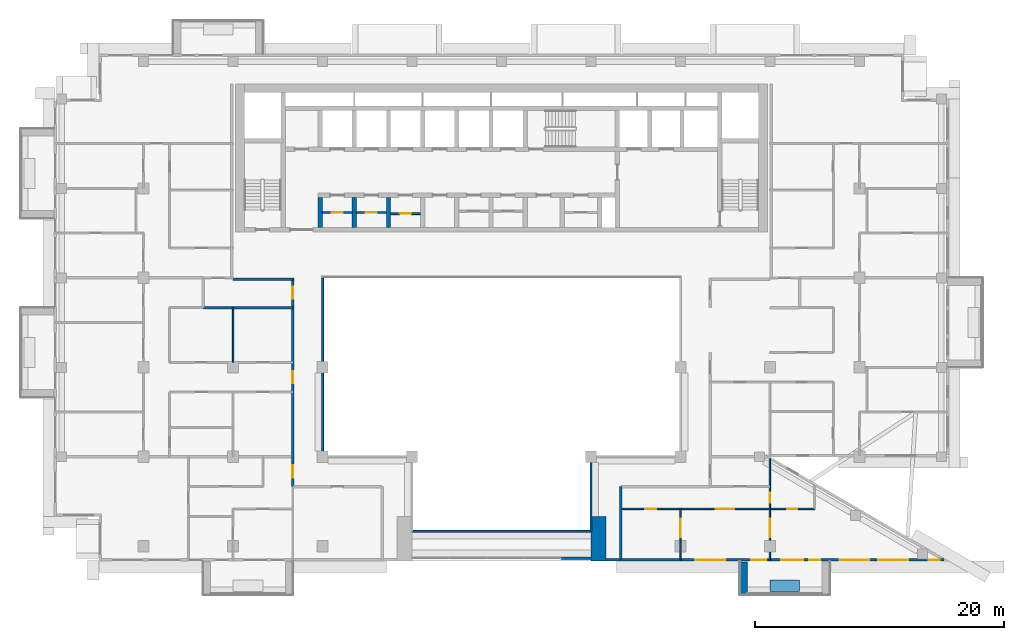
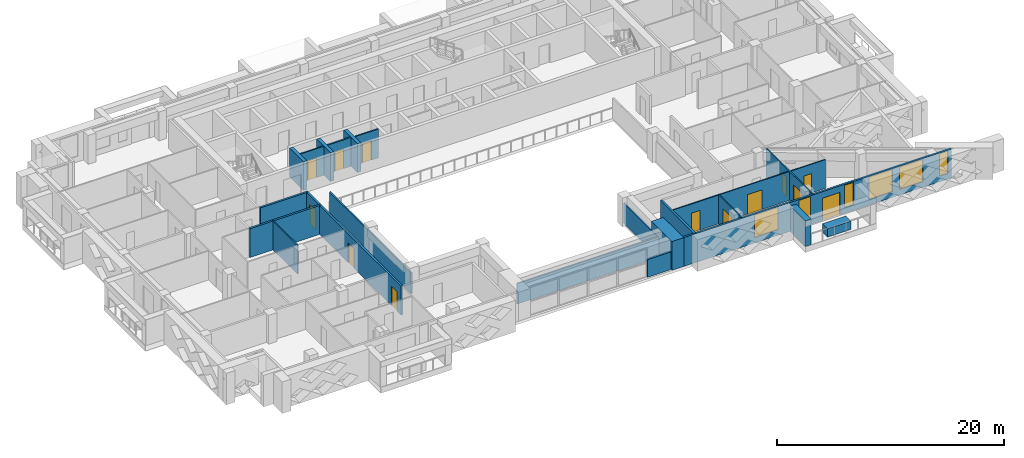
# One storey, part 8 of 20: 22 walls, 13 doors, 6 windows, 19 openings.
"""IFC4 building model written with IfcOpenShell, lengths in metres."""

from ifc_helpers import new_model, si_unit, direction, frame, frame_2d, origin, place, context, subcontext, project, spatial, rectangle, extrude, material, layer, layer_set, type_object, element, fill, save


model = new_model("IFC4")

# Units and contexts
model_context = context("Model", 3, precision=1e-05, world=origin(), true_north=direction((0.0, 1.0)))
body_context = subcontext(model_context, "Body", "Model", "MODEL_VIEW")
ifc_project = project(units=[si_unit("LENGTHUNIT", "METRE"), si_unit("AREAUNIT", "SQUARE_METRE"), si_unit("VOLUMEUNIT", "CUBIC_METRE"), si_unit("PLANEANGLEUNIT", "RADIAN"), si_unit("MASSUNIT", "GRAM", prefix="KILO")], contexts=[model_context])

# Site, building, storey
site_placement = place(None, origin())
site = spatial("IfcSite", under=ifc_project, at=site_placement, CompositionType="ELEMENT")
building_placement = place(site_placement, origin())
building = spatial("IfcBuilding", under=site, at=building_placement, Name="Saffron Iwan Residences", CompositionType="ELEMENT")
storey_placement = place(building_placement, frame((0.0, 0.0, 202.5)))
storey = spatial("IfcBuildingStorey", under=building, at=storey_placement, Name="L54", CompositionType="ELEMENT", Elevation=202.5)

# Walls
ifc_material_1 = material(Name="Fire-rated glazing", Category="glass")
ifc_layer_1 = layer(ifc_material_1, 0.14990234375)
ifc_layer_set_1 = layer_set([ifc_layer_1], Name="Fire-rated glazing")
wall_type_1 = type_object("IfcWallType", Name="Atrium glazed screen 150", PredefinedType="SOLIDWALL", material=ifc_layer_set_1)
wall_1_placement = place(storey_placement, frame((43.199951171875, 42.0, 0.0), z_axis=(0.0, 0.0, 1.0), x_axis=(1.0, 0.0, 0.0)))
element("IfcWall", 1, at=wall_1_placement, inside=storey, type_object=wall_type_1, Name="W-L54-SCREEN-h42-43.2", PredefinedType="SOLIDWALL", context=body_context, shape_type="SweptSolid", body=[
    extrude(rectangle(XDim=14.400146484375, YDim=0.14990234375, at=frame_2d((7.2001953125, 0.0))), origin(), (0.0, 0.0, 1.0), 2.199951171875),
])
wall_2_placement = place(storey_placement, frame((36.0, 48.0, 0.0), z_axis=(0.0, 0.0, 1.0), x_axis=(0.0, 1.0, 0.0)))
element("IfcWall", 2, at=wall_2_placement, inside=storey, type_object=wall_type_1, Name="W-L54-SCREEN-v36-48", PredefinedType="SOLIDWALL", context=body_context, shape_type="SweptSolid", body=[
    extrude(rectangle(XDim=14.39990234375, YDim=0.14990234375, at=frame_2d((7.199951171875, 0.0))), origin(), (0.0, 0.0, 1.0), 2.199951171875),
])
wall_3_placement = place(storey_placement, frame((57.60009765625, 42.0, 0.0), z_axis=(0.0, 0.0, 1.0), x_axis=(0.0, 1.0, 0.0)))
element("IfcWall", 3, at=wall_3_placement, inside=storey, type_object=wall_type_1, Name="W-L54-SCREEN-v57.6-42", PredefinedType="SOLIDWALL", context=body_context, shape_type="SweptSolid", body=[
    extrude(rectangle(XDim=6.0, YDim=0.14990234375, at=frame_2d((3.0, 0.0))), origin(), (0.0, 0.0, 1.0), 2.199951171875),
])
ifc_material_2 = material(Name="Concrete C50/60 white painted", Category="concrete")
ifc_layer_2 = layer(ifc_material_2, 0.60009765625)
ifc_layer_set_2 = layer_set([ifc_layer_2], Name="Concrete C50/60 white painted")
wall_type_2 = type_object("IfcWallType", Name="BALCONY FIN 600", PredefinedType="SOLIDWALL", material=ifc_layer_set_2)
wall_4_placement = place(storey_placement, frame((69.89990234375, 39.550048828125, 0.0), z_axis=(0.0, 0.0, 1.0), x_axis=(0.0, -1.0, 0.0)))
element("IfcWall", 4, at=wall_4_placement, inside=storey, type_object=wall_type_2, Name="Balcony fin L54 11-1a", PredefinedType="SOLIDWALL", context=body_context, shape_type="SweptSolid", body=[
    extrude(rectangle(XDim=2.650146484375, YDim=0.60009765625, at=frame_2d((1.3251953125, 0.0))), origin(), (0.0, 0.0, 1.0), 2.75),
])
ifc_material_3 = material(Name="Concrete C35/45 white painted", Category="concrete")
ifc_layer_3 = layer(ifc_material_3, 0.14990234375)
ifc_layer_set_3 = layer_set([ifc_layer_3], Name="Concrete C35/45 white painted")
wall_type_3 = type_object("IfcWallType", Name="BALCONY PLANTER", PredefinedType="SOLIDWALL", material=ifc_layer_set_3)
wall_5_placement = place(storey_placement, frame((72.0, 37.625, 0.0), z_axis=(0.0, 0.0, 1.0), x_axis=(1.0, 0.0, 0.0)))
element("IfcWall", 5, at=wall_5_placement, inside=storey, type_object=wall_type_3, Name="PLANTER L54 11-1", PredefinedType="SOLIDWALL", context=body_context, shape_type="SweptSolid", body=[
    extrude(rectangle(XDim=2.39990234375, YDim=0.89990234375, at=frame_2d((1.199951171875, 0.0))), origin(), (0.0, 0.0, 1.0), 0.89990234375),
])

# Wall, opening, door
ifc_material_4 = material(Name="Fire-rated plasterboard partition")
ifc_layer_4 = layer(ifc_material_4, 0.14990234375)
ifc_layer_set_4 = layer_set([ifc_layer_4], Name="Fire-rated plasterboard partition")
wall_type_4 = type_object("IfcWallType", Name="Core partition 150", PredefinedType="PARTITIONING", material=ifc_layer_set_4)
wall_6_placement = place(storey_placement, frame((35.97509765625, 67.66259765625, 0.0), z_axis=(0.0, 0.0, 1.0), x_axis=(1.0, 0.0, 0.0)))
wall_6 = element("IfcWall", 6, at=wall_6_placement, inside=storey, type_object=wall_type_4, Name="Core partition P01", PredefinedType="PARTITIONING", context=body_context, shape_type="SweptSolid", body=[
    extrude(rectangle(XDim=2.39990234375, YDim=0.14990234375, at=frame_2d((1.199951171875, 0.0))), origin(), (0.0, 0.0, 1.0), 3.10009765625),
])
opening_1_placement = place(wall_6_placement, frame((0.75, 0.0, 0.0)))
opening_1 = element("IfcOpeningElement", 7, at=opening_1_placement, cuts=wall_6, Name="Opening SB", PredefinedType="OPENING", context=body_context, shape_type="SweptSolid", body=[
    extrude(rectangle(XDim=0.89990234375, YDim=2.10009765625, at=frame_2d((0.449951171875, 1.050048828125))), frame((0.0, 0.0849609375, 0.0), z_axis=(0.0, -1.0, 0.0), x_axis=(1.0, 0.0, 0.0)), (0.0, 0.0, 1.0), 0.169921875),
])
ifc_material_5 = material(Name="Steel fire door", Category="steel")
door_type_1 = type_object("IfcDoorType", Name="Store door 900", OperationType="NOTDEFINED", PredefinedType="DOOR", material=ifc_material_5)
door_1_placement = place(opening_1_placement, origin())
door_1 = element("IfcDoor", 8, at=door_1_placement, inside=storey, type_object=door_type_1, Name="Door Spares store", OperationType="SINGLE_SWING_RIGHT", OverallHeight=2.10009765625, OverallWidth=0.89990234375, PredefinedType="DOOR", context=body_context, shape_type="SweptSolid", body=[
    extrude(rectangle(XDim=0.89990234375, YDim=2.10009765625, at=frame_2d((0.449951171875, 1.050048828125))), frame((0.0, 0.02490234375, 0.0), z_axis=(0.0, -1.0, 0.0), x_axis=(1.0, 0.0, 0.0)), (0.0, 0.0, 1.0), 0.050048828125),
])
fill(opening_1, door_1)

wall_7_placement = place(storey_placement, frame((38.72509765625, 67.66259765625, 0.0), z_axis=(0.0, 0.0, 1.0), x_axis=(1.0, 0.0, 0.0)))
wall_7 = element("IfcWall", 9, at=wall_7_placement, inside=storey, type_object=wall_type_4, Name="Core partition P02", PredefinedType="PARTITIONING", context=body_context, shape_type="SweptSolid", body=[
    extrude(rectangle(XDim=2.39990234375, YDim=0.14990234375, at=frame_2d((1.199951171875, 0.0))), origin(), (0.0, 0.0, 1.0), 3.10009765625),
])
opening_2_placement = place(wall_7_placement, frame((0.75, 0.0, 0.0)))
opening_2 = element("IfcOpeningElement", 10, at=opening_2_placement, cuts=wall_7, Name="Opening SB", PredefinedType="OPENING", context=body_context, shape_type="SweptSolid", body=[
    extrude(rectangle(XDim=0.89990234375, YDim=2.10009765625, at=frame_2d((0.449951171875, 1.050048828125))), frame((0.0, 0.0849609375, 0.0), z_axis=(0.0, -1.0, 0.0), x_axis=(1.0, 0.0, 0.0)), (0.0, 0.0, 1.0), 0.169921875),
])
door_2_placement = place(opening_2_placement, origin())
door_2 = element("IfcDoor", 11, at=door_2_placement, inside=storey, type_object=door_type_1, Name="Door Battery room", OperationType="SINGLE_SWING_LEFT", OverallHeight=2.10009765625, OverallWidth=0.89990234375, PredefinedType="DOOR", context=body_context, shape_type="SweptSolid", body=[
    extrude(rectangle(XDim=0.89990234375, YDim=2.10009765625, at=frame_2d((0.449951171875, 1.050048828125))), frame((0.0, 0.02490234375, 0.0), z_axis=(0.0, -1.0, 0.0), x_axis=(1.0, 0.0, 0.0)), (0.0, 0.0, 1.0), 0.050048828125),
])
fill(opening_2, door_2)

wall_8_placement = place(storey_placement, frame((41.47509765625, 67.5654296875, 0.0), z_axis=(0.0, 0.0, 1.0), x_axis=(1.0, 0.0, 0.0)))
wall_8 = element("IfcWall", 12, at=wall_8_placement, inside=storey, type_object=wall_type_4, Name="Core partition P03", PredefinedType="PARTITIONING", context=body_context, shape_type="SweptSolid", body=[
    extrude(rectangle(XDim=2.39990234375, YDim=0.14990234375, at=frame_2d((1.199951171875, 0.0))), origin(), (0.0, 0.0, 1.0), 3.10009765625),
])
opening_3_placement = place(wall_8_placement, frame((0.75, 0.0, 0.0)))
opening_3 = element("IfcOpeningElement", 13, at=opening_3_placement, cuts=wall_8, Name="Opening SB", PredefinedType="OPENING", context=body_context, shape_type="SweptSolid", body=[
    extrude(rectangle(XDim=0.89990234375, YDim=2.10009765625, at=frame_2d((0.449951171875, 1.050048828125))), frame((0.0, 0.0849609375, 0.0), z_axis=(0.0, -1.0, 0.0), x_axis=(1.0, 0.0, 0.0)), (0.0, 0.0, 1.0), 0.169921875),
])
door_3_placement = place(opening_3_placement, origin())
door_3 = element("IfcDoor", 14, at=door_3_placement, inside=storey, type_object=door_type_1, Name="Door Records store", OperationType="SINGLE_SWING_RIGHT", OverallHeight=2.10009765625, OverallWidth=0.89990234375, PredefinedType="DOOR", context=body_context, shape_type="SweptSolid", body=[
    extrude(rectangle(XDim=0.89990234375, YDim=2.10009765625, at=frame_2d((0.449951171875, 1.050048828125))), frame((0.0, 0.02490234375, 0.0), z_axis=(0.0, -1.0, 0.0), x_axis=(1.0, 0.0, 0.0)), (0.0, 0.0, 1.0), 0.050048828125),
])
fill(opening_3, door_3)

# Wall, openings, door, windows
ifc_material_6 = material(Name="Concrete C40/50", Category="concrete")
ifc_layer_5 = layer(ifc_material_6, 0.199951171875)
ifc_layer_set_5 = layer_set([ifc_layer_5], Name="Concrete C40/50")
wall_type_5 = type_object("IfcWallType", Name="EXTERNAL WALL 200", PredefinedType="SOLIDWALL", material=ifc_layer_set_5)
wall_9_placement = place(storey_placement, frame((58.800048828125, 39.699951171875, 0.0), z_axis=(0.0, 0.0, 1.0), x_axis=(1.0, 0.0, 0.0)))
wall_9 = element("IfcWall", 15, at=wall_9_placement, inside=storey, type_object=wall_type_5, Name="External wall L54 F11.1", PredefinedType="SOLIDWALL", context=body_context, shape_type="SweptSolid", body=[
    extrude(rectangle(XDim=27.22998046875, YDim=0.199951171875, at=frame_2d((13.614990234375, 0.0))), origin(), (0.0, 0.0, 1.0), 3.10009765625),
])
opening_4_placement = place(wall_9_placement, frame((14.10009765625, 0.0, 0.0)))
opening_4 = element("IfcOpeningElement", 16, at=opening_4_placement, cuts=wall_9, Name="Opening BD1", PredefinedType="OPENING", context=body_context, shape_type="SweptSolid", body=[
    extrude(rectangle(XDim=1.800048828125, YDim=2.39990234375, at=frame_2d((0.89990234375, 1.199951171875))), frame((0.0, 0.10986328125, 0.0), z_axis=(0.0, -1.0, 0.0), x_axis=(1.0, 0.0, 0.0)), (0.0, 0.0, 1.0), 0.219970703125),
])
opening_5_placement = place(wall_9_placement, frame((7.199951171875, 0.0, 0.60009765625)))
opening_5 = element("IfcOpeningElement", 17, at=opening_5_placement, cuts=wall_9, Name="Opening W1", PredefinedType="OPENING", context=body_context, shape_type="SweptSolid", body=[
    extrude(rectangle(XDim=2.39990234375, YDim=2.39990234375, at=frame_2d((1.199951171875, 1.199951171875))), frame((0.0, 0.10986328125, 0.0), z_axis=(0.0, -1.0, 0.0), x_axis=(1.0, 0.0, 0.0)), (0.0, 0.0, 1.0), 0.219970703125),
])
opening_6_placement = place(wall_9_placement, frame((11.699951171875, 0.0, 0.60009765625)))
opening_6 = element("IfcOpeningElement", 18, at=opening_6_placement, cuts=wall_9, Name="Opening W3", PredefinedType="OPENING", context=body_context, shape_type="SweptSolid", body=[
    extrude(rectangle(XDim=1.199951171875, YDim=2.39990234375, at=frame_2d((0.60009765625, 1.199951171875))), frame((0.0, 0.10986328125, 0.0), z_axis=(0.0, -1.0, 0.0), x_axis=(1.0, 0.0, 0.0)), (0.0, 0.0, 1.0), 0.219970703125),
])
opening_7_placement = place(wall_9_placement, frame((16.35009765625, 0.0, 0.60009765625)))
opening_7 = element("IfcOpeningElement", 19, at=opening_7_placement, cuts=wall_9, Name="Opening W10", PredefinedType="OPENING", context=body_context, shape_type="SweptSolid", body=[
    extrude(rectangle(XDim=0.89990234375, YDim=2.39990234375, at=frame_2d((0.449951171875, 1.199951171875))), frame((0.0, 0.10986328125, 0.0), z_axis=(0.0, -1.0, 0.0), x_axis=(1.0, 0.0, 0.0)), (0.0, 0.0, 1.0), 0.219970703125),
])
opening_8_placement = place(wall_9_placement, frame((18.80859375, 0.0, 0.60009765625)))
opening_8 = element("IfcOpeningElement", 20, at=opening_8_placement, cuts=wall_9, Name="Opening W1", PredefinedType="OPENING", context=body_context, shape_type="SweptSolid", body=[
    extrude(rectangle(XDim=2.39990234375, YDim=2.39990234375, at=frame_2d((1.199951171875, 1.199951171875))), frame((0.0, 0.10986328125, 0.0), z_axis=(0.0, -1.0, 0.0), x_axis=(1.0, 0.0, 0.0)), (0.0, 0.0, 1.0), 0.219970703125),
])
opening_9_placement = place(wall_9_placement, frame((21.91748046875, 0.0, 0.60009765625)))
opening_9 = element("IfcOpeningElement", 21, at=opening_9_placement, cuts=wall_9, Name="Opening W1", PredefinedType="OPENING", context=body_context, shape_type="SweptSolid", body=[
    extrude(rectangle(XDim=2.39990234375, YDim=2.39990234375, at=frame_2d((1.199951171875, 1.199951171875))), frame((0.0, 0.10986328125, 0.0), z_axis=(0.0, -1.0, 0.0), x_axis=(1.0, 0.0, 0.0)), (0.0, 0.0, 1.0), 0.219970703125),
])
opening_10_placement = place(wall_9_placement, frame((25.978271484375, 0.0, 0.60009765625)))
opening_10 = element("IfcOpeningElement", 22, at=opening_10_placement, cuts=wall_9, Name="Opening W10", PredefinedType="OPENING", context=body_context, shape_type="SweptSolid", body=[
    extrude(rectangle(XDim=0.89990234375, YDim=2.39990234375, at=frame_2d((0.449951171875, 1.199951171875))), frame((0.0, 0.10986328125, 0.0), z_axis=(0.0, -1.0, 0.0), x_axis=(1.0, 0.0, 0.0)), (0.0, 0.0, 1.0), 0.219970703125),
])
ifc_material_7 = material(Name="Clear glass, laminated double glazed", Category="glass")
door_type_2 = type_object("IfcDoorType", Name="BALCONY DOOR 1800 x 2400", OperationType="DOUBLE_DOOR_SLIDING", PredefinedType="DOOR", material=ifc_material_7)
door_4_placement = place(opening_4_placement, origin())
door_4 = element("IfcDoor", 23, at=door_4_placement, inside=storey, type_object=door_type_2, Name="Balcony door L54 F11.0", OperationType="DOUBLE_DOOR_SLIDING", OverallHeight=2.39990234375, OverallWidth=1.800048828125, PredefinedType="DOOR", context=body_context, shape_type="SweptSolid", body=[
    extrude(rectangle(XDim=1.800048828125, YDim=2.39990234375, at=frame_2d((0.89990234375, 1.199951171875))), frame((0.0, 0.02490234375, 0.0), z_axis=(0.0, -1.0, 0.0), x_axis=(1.0, 0.0, 0.0)), (0.0, 0.0, 1.0), 0.050048828125),
])
fill(opening_4, door_4)
window_type_1 = type_object("IfcWindowType", Name="WINDOW 1200 x 2400", PartitioningType="SINGLE_PANEL", PredefinedType="WINDOW", material=ifc_material_7)
window_1_placement = place(opening_6_placement, origin())
window_1 = element("IfcWindow", 24, at=window_1_placement, inside=storey, type_object=window_type_1, Name="Window L54 F11.2", OverallHeight=2.39990234375, OverallWidth=1.199951171875, PartitioningType="SINGLE_PANEL", PredefinedType="WINDOW", context=body_context, shape_type="SweptSolid", body=[
    extrude(rectangle(XDim=1.199951171875, YDim=2.39990234375, at=frame_2d((0.60009765625, 1.199951171875))), frame((0.0, 0.030029296875, 0.0), z_axis=(0.0, -1.0, 0.0), x_axis=(1.0, 0.0, 0.0)), (0.0, 0.0, 1.0), 0.06005859375),
])
fill(opening_6, window_1)
window_type_2 = type_object("IfcWindowType", Name="WINDOW 2400 x 2400", PartitioningType="DOUBLE_PANEL_VERTICAL", PredefinedType="WINDOW", material=ifc_material_7)
window_2_placement = place(opening_5_placement, origin())
window_2 = element("IfcWindow", 25, at=window_2_placement, inside=storey, type_object=window_type_2, Name="Window L54 F11.1", OverallHeight=2.39990234375, OverallWidth=2.39990234375, PartitioningType="DOUBLE_PANEL_VERTICAL", PredefinedType="WINDOW", context=body_context, shape_type="SweptSolid", body=[
    extrude(rectangle(XDim=2.39990234375, YDim=2.39990234375, at=frame_2d((1.199951171875, 1.199951171875))), frame((0.0, 0.030029296875, 0.0), z_axis=(0.0, -1.0, 0.0), x_axis=(1.0, 0.0, 0.0)), (0.0, 0.0, 1.0), 0.06005859375),
])
fill(opening_5, window_2)
window_3_placement = place(opening_8_placement, origin())
window_3 = element("IfcWindow", 26, at=window_3_placement, inside=storey, type_object=window_type_2, Name="Window L54 F11.4", OverallHeight=2.39990234375, OverallWidth=2.39990234375, PartitioningType="DOUBLE_PANEL_VERTICAL", PredefinedType="WINDOW", context=body_context, shape_type="SweptSolid", body=[
    extrude(rectangle(XDim=2.39990234375, YDim=2.39990234375, at=frame_2d((1.199951171875, 1.199951171875))), frame((0.0, 0.030029296875, 0.0), z_axis=(0.0, -1.0, 0.0), x_axis=(1.0, 0.0, 0.0)), (0.0, 0.0, 1.0), 0.06005859375),
])
fill(opening_8, window_3)
window_4_placement = place(opening_9_placement, origin())
window_4 = element("IfcWindow", 27, at=window_4_placement, inside=storey, type_object=window_type_2, Name="Window L54 F11.5", OverallHeight=2.39990234375, OverallWidth=2.39990234375, PartitioningType="DOUBLE_PANEL_VERTICAL", PredefinedType="WINDOW", context=body_context, shape_type="SweptSolid", body=[
    extrude(rectangle(XDim=2.39990234375, YDim=2.39990234375, at=frame_2d((1.199951171875, 1.199951171875))), frame((0.0, 0.030029296875, 0.0), z_axis=(0.0, -1.0, 0.0), x_axis=(1.0, 0.0, 0.0)), (0.0, 0.0, 1.0), 0.06005859375),
])
fill(opening_9, window_4)
window_type_3 = type_object("IfcWindowType", Name="WINDOW 900 x 2400", PartitioningType="SINGLE_PANEL", PredefinedType="WINDOW", material=ifc_material_7)
window_5_placement = place(opening_7_placement, origin())
window_5 = element("IfcWindow", 28, at=window_5_placement, inside=storey, type_object=window_type_3, Name="Window L54 F11.3", OverallHeight=2.39990234375, OverallWidth=0.89990234375, PartitioningType="SINGLE_PANEL", PredefinedType="WINDOW", context=body_context, shape_type="SweptSolid", body=[
    extrude(rectangle(XDim=0.89990234375, YDim=2.39990234375, at=frame_2d((0.449951171875, 1.199951171875))), frame((0.0, 0.030029296875, 0.0), z_axis=(0.0, -1.0, 0.0), x_axis=(1.0, 0.0, 0.0)), (0.0, 0.0, 1.0), 0.06005859375),
])
fill(opening_7, window_5)
window_6_placement = place(opening_10_placement, origin())
window_6 = element("IfcWindow", 29, at=window_6_placement, inside=storey, type_object=window_type_3, Name="Window L54 F11.6", OverallHeight=2.39990234375, OverallWidth=0.89990234375, PartitioningType="SINGLE_PANEL", PredefinedType="WINDOW", context=body_context, shape_type="SweptSolid", body=[
    extrude(rectangle(XDim=0.89990234375, YDim=2.39990234375, at=frame_2d((0.449951171875, 1.199951171875))), frame((0.0, 0.030029296875, 0.0), z_axis=(0.0, -1.0, 0.0), x_axis=(1.0, 0.0, 0.0)), (0.0, 0.0, 1.0), 0.06005859375),
])
fill(opening_10, window_6)

# Walls
wall_10_placement = place(storey_placement, frame((55.199951171875, 39.85009765625, 0.0), z_axis=(0.0, 0.0, 1.0), x_axis=(1.0, 0.0, 0.0)))
element("IfcWall", 30, at=wall_10_placement, inside=storey, type_object=wall_type_5, Name="External wall infill CWB-L54-0", PredefinedType="SOLIDWALL", context=body_context, shape_type="SweptSolid", body=[
    extrude(rectangle(XDim=2.400146484375, YDim=0.199951171875, at=frame_2d((1.2001953125, 0.0))), origin(), (0.0, 0.0, 1.0), 1.89990234375),
])
ifc_material_8 = material(Name="Fire-rated gypsum board wall")
ifc_layer_6 = layer(ifc_material_8, 0.199951171875)
ifc_layer_set_6 = layer_set([ifc_layer_6], Name="Fire-rated gypsum board wall")
wall_type_6 = type_object("IfcWallType", Name="Flat demising wall 200", PredefinedType="SOLIDWALL", material=ifc_layer_set_6)
wall_11_placement = place(storey_placement, frame((26.39990234375, 60.0, 0.0), z_axis=(0.0, 0.0, 1.0), x_axis=(1.0, 0.0, 0.0)))
element("IfcWall", 31, at=wall_11_placement, inside=storey, type_object=wall_type_6, Name="W-L54-DEMISE-h60-26.4", PredefinedType="SOLIDWALL", context=body_context, shape_type="SweptSolid", body=[
    extrude(rectangle(XDim=7.2001953125, YDim=0.199951171875, at=frame_2d((3.60009765625, 0.0))), origin(), (0.0, 0.0, 1.0), 3.10009765625),
])

# Wall, openings, doors
ifc_material_9 = material(Name="Gypsum board partition")
ifc_layer_7 = layer(ifc_material_9, 0.1201171875)
ifc_layer_set_7 = layer_set([ifc_layer_7], Name="Gypsum board partition")
wall_type_7 = type_object("IfcWallType", Name="Flat partition 120", PredefinedType="PARTITIONING", material=ifc_layer_set_7)
wall_12_placement = place(storey_placement, frame((60.0, 43.800048828125, 0.0), z_axis=(0.0, 0.0, 1.0), x_axis=(1.0, 0.0, 0.0)))
wall_12 = element("IfcWall", 32, at=wall_12_placement, inside=storey, type_object=wall_type_7, Name="W-L54-PART-h43.8-60", PredefinedType="PARTITIONING", context=body_context, shape_type="SweptSolid", body=[
    extrude(rectangle(XDim=15.60009765625, YDim=0.1201171875, at=frame_2d((7.800048828125, 0.0))), origin(), (0.0, 0.0, 1.0), 3.10009765625),
])
opening_11_placement = place(wall_12_placement, frame((7.64990234375, 0.0, 0.0)))
opening_11 = element("IfcOpeningElement", 33, at=opening_11_placement, cuts=wall_12, Name="Opening FD4", PredefinedType="OPENING", context=body_context, shape_type="SweptSolid", body=[
    extrude(rectangle(XDim=1.5, YDim=2.10009765625, at=frame_2d((0.75, 1.050048828125))), frame((0.0, 0.070068359375, 0.0), z_axis=(0.0, -1.0, 0.0), x_axis=(1.0, 0.0, 0.0)), (0.0, 0.0, 1.0), 0.14013671875),
])
opening_12_placement = place(wall_12_placement, frame((1.949951171875, 0.0, 0.0)))
opening_12 = element("IfcOpeningElement", 34, at=opening_12_placement, cuts=wall_12, Name="Opening FD2", PredefinedType="OPENING", context=body_context, shape_type="SweptSolid", body=[
    extrude(rectangle(XDim=0.89990234375, YDim=2.10009765625, at=frame_2d((0.449951171875, 1.050048828125))), frame((0.0, 0.070068359375, 0.0), z_axis=(0.0, -1.0, 0.0), x_axis=(1.0, 0.0, 0.0)), (0.0, 0.0, 1.0), 0.14013671875),
])
opening_13_placement = place(wall_12_placement, frame((13.39990234375, 0.0, 0.0)))
opening_13 = element("IfcOpeningElement", 35, at=opening_13_placement, cuts=wall_12, Name="Opening FD3", PredefinedType="OPENING", context=body_context, shape_type="SweptSolid", body=[
    extrude(rectangle(XDim=0.800048828125, YDim=2.10009765625, at=frame_2d((0.39990234375, 1.050048828125))), frame((0.0, 0.070068359375, 0.0), z_axis=(0.0, -1.0, 0.0), x_axis=(1.0, 0.0, 0.0)), (0.0, 0.0, 1.0), 0.14013671875),
])
ifc_material_10 = material(Name="Timber door", Category="wood")
door_type_3 = type_object("IfcDoorType", Name="Bathroom door 800", OperationType="NOTDEFINED", PredefinedType="DOOR", material=ifc_material_10)
door_5_placement = place(opening_13_placement, origin())
door_5 = element("IfcDoor", 36, at=door_5_placement, inside=storey, type_object=door_type_3, Name="Door L54-047", OperationType="SINGLE_SWING_LEFT", OverallHeight=2.10009765625, OverallWidth=0.800048828125, PredefinedType="DOOR", context=body_context, shape_type="SweptSolid", body=[
    extrude(rectangle(XDim=0.800048828125, YDim=2.10009765625, at=frame_2d((0.39990234375, 1.050048828125))), frame((0.0, 0.02490234375, 0.0), z_axis=(0.0, -1.0, 0.0), x_axis=(1.0, 0.0, 0.0)), (0.0, 0.0, 1.0), 0.050048828125),
])
fill(opening_13, door_5)
door_type_4 = type_object("IfcDoorType", Name="Double door 1500", OperationType="NOTDEFINED", PredefinedType="DOOR", material=ifc_material_10)
door_6_placement = place(opening_11_placement, origin())
door_6 = element("IfcDoor", 37, at=door_6_placement, inside=storey, type_object=door_type_4, Name="Door L54-043", OperationType="SINGLE_SWING_RIGHT", OverallHeight=2.10009765625, OverallWidth=1.5, PredefinedType="DOOR", context=body_context, shape_type="SweptSolid", body=[
    extrude(rectangle(XDim=1.5, YDim=2.10009765625, at=frame_2d((0.75, 1.050048828125))), frame((0.0, 0.02490234375, 0.0), z_axis=(0.0, -1.0, 0.0), x_axis=(1.0, 0.0, 0.0)), (0.0, 0.0, 1.0), 0.050048828125),
])
fill(opening_11, door_6)
door_type_5 = type_object("IfcDoorType", Name="Flat door 900", OperationType="NOTDEFINED", PredefinedType="DOOR", material=ifc_material_10)
door_7_placement = place(opening_12_placement, origin())
door_7 = element("IfcDoor", 38, at=door_7_placement, inside=storey, type_object=door_type_5, Name="Door L54-044", OperationType="SINGLE_SWING_LEFT", OverallHeight=2.10009765625, OverallWidth=0.89990234375, PredefinedType="DOOR", context=body_context, shape_type="SweptSolid", body=[
    extrude(rectangle(XDim=0.89990234375, YDim=2.10009765625, at=frame_2d((0.449951171875, 1.050048828125))), frame((0.0, 0.02490234375, 0.0), z_axis=(0.0, -1.0, 0.0), x_axis=(1.0, 0.0, 0.0)), (0.0, 0.0, 1.0), 0.050048828125),
])
fill(opening_12, door_7)

# Wall
wall_13_placement = place(storey_placement, frame((28.800048828125, 55.60009765625, 0.0), z_axis=(0.0, 0.0, 1.0), x_axis=(0.0, 1.0, 0.0)))
element("IfcWall", 39, at=wall_13_placement, inside=storey, type_object=wall_type_7, Name="W-L54-PART-v28.8-55.6", PredefinedType="PARTITIONING", context=body_context, shape_type="SweptSolid", body=[
    extrude(rectangle(XDim=4.39990234375, YDim=0.1201171875, at=frame_2d((2.199951171875, 0.0))), origin(), (0.0, 0.0, 1.0), 3.10009765625),
])

# Wall, opening, door
wall_14_placement = place(storey_placement, frame((64.800048828125, 39.72509765625, 0.0), z_axis=(0.0, 0.0, 1.0), x_axis=(0.0, 1.0, 0.0)))
wall_14 = element("IfcWall", 40, at=wall_14_placement, inside=storey, type_object=wall_type_7, Name="W-L54-PART-v64.8-39.725", PredefinedType="PARTITIONING", context=body_context, shape_type="SweptSolid", body=[
    extrude(rectangle(XDim=4.074951171875, YDim=0.1201171875, at=frame_2d((2.03759765625, 0.0))), origin(), (0.0, 0.0, 1.0), 3.10009765625),
])
opening_14_placement = place(wall_14_placement, frame((1.78759765625, 0.0, 0.0)))
opening_14 = element("IfcOpeningElement", 41, at=opening_14_placement, cuts=wall_14, Name="Opening FD4", PredefinedType="OPENING", context=body_context, shape_type="SweptSolid", body=[
    extrude(rectangle(XDim=1.5, YDim=2.10009765625, at=frame_2d((0.75, 1.050048828125))), frame((0.0, 0.070068359375, 0.0), z_axis=(0.0, -1.0, 0.0), x_axis=(1.0, 0.0, 0.0)), (0.0, 0.0, 1.0), 0.14013671875),
])
door_8_placement = place(opening_14_placement, origin())
door_8 = element("IfcDoor", 42, at=door_8_placement, inside=storey, type_object=door_type_4, Name="Door L54-040", OperationType="SINGLE_SWING_LEFT", OverallHeight=2.10009765625, OverallWidth=1.5, PredefinedType="DOOR", context=body_context, shape_type="SweptSolid", body=[
    extrude(rectangle(XDim=1.5, YDim=2.10009765625, at=frame_2d((0.75, 1.050048828125))), frame((0.0, 0.02490234375, 0.0), z_axis=(0.0, -1.0, 0.0), x_axis=(1.0, 0.0, 0.0)), (0.0, 0.0, 1.0), 0.050048828125),
])
fill(opening_14, door_8)

# Wall, openings, doors
wall_15_placement = place(storey_placement, frame((72.0, 39.72509765625, 0.0), z_axis=(0.0, 0.0, 1.0), x_axis=(0.0, 1.0, 0.0)))
wall_15 = element("IfcWall", 43, at=wall_15_placement, inside=storey, type_object=wall_type_7, Name="W-L54-PART-v72-39.725", PredefinedType="PARTITIONING", context=body_context, shape_type="SweptSolid", body=[
    extrude(rectangle(XDim=8.1298828125, YDim=0.1201171875, at=frame_2d((4.06494140625, 0.0))), origin(), (0.0, 0.0, 1.0), 3.10009765625),
])
opening_15_placement = place(wall_15_placement, frame((1.78759765625, 0.0, 0.0)))
opening_15 = element("IfcOpeningElement", 44, at=opening_15_placement, cuts=wall_15, Name="Opening FD4", PredefinedType="OPENING", context=body_context, shape_type="SweptSolid", body=[
    extrude(rectangle(XDim=1.5, YDim=2.10009765625, at=frame_2d((0.75, 1.050048828125))), frame((0.0, 0.070068359375, 0.0), z_axis=(0.0, -1.0, 0.0), x_axis=(1.0, 0.0, 0.0)), (0.0, 0.0, 1.0), 0.14013671875),
])
opening_16_placement = place(wall_15_placement, frame((4.574951171875, 0.0, 0.0)))
opening_16 = element("IfcOpeningElement", 45, at=opening_16_placement, cuts=wall_15, Name="Opening FD3", PredefinedType="OPENING", context=body_context, shape_type="SweptSolid", body=[
    extrude(rectangle(XDim=0.800048828125, YDim=2.10009765625, at=frame_2d((0.39990234375, 1.050048828125))), frame((0.0, 0.070068359375, 0.0), z_axis=(0.0, -1.0, 0.0), x_axis=(1.0, 0.0, 0.0)), (0.0, 0.0, 1.0), 0.14013671875),
])
door_9_placement = place(opening_16_placement, origin())
door_9 = element("IfcDoor", 46, at=door_9_placement, inside=storey, type_object=door_type_3, Name="Door L54-046", OperationType="SINGLE_SWING_RIGHT", OverallHeight=2.10009765625, OverallWidth=0.800048828125, PredefinedType="DOOR", context=body_context, shape_type="SweptSolid", body=[
    extrude(rectangle(XDim=0.800048828125, YDim=2.10009765625, at=frame_2d((0.39990234375, 1.050048828125))), frame((0.0, 0.02490234375, 0.0), z_axis=(0.0, -1.0, 0.0), x_axis=(1.0, 0.0, 0.0)), (0.0, 0.0, 1.0), 0.050048828125),
])
fill(opening_16, door_9)
door_10_placement = place(opening_15_placement, origin())
door_10 = element("IfcDoor", 47, at=door_10_placement, inside=storey, type_object=door_type_4, Name="Door L54-045", OperationType="SINGLE_SWING_RIGHT", OverallHeight=2.10009765625, OverallWidth=1.5, PredefinedType="DOOR", context=body_context, shape_type="SweptSolid", body=[
    extrude(rectangle(XDim=1.5, YDim=2.10009765625, at=frame_2d((0.75, 1.050048828125))), frame((0.0, 0.02490234375, 0.0), z_axis=(0.0, -1.0, 0.0), x_axis=(1.0, 0.0, 0.0)), (0.0, 0.0, 1.0), 0.050048828125),
])
fill(opening_15, door_10)

# Wall
ifc_layer_8 = layer(ifc_material_8, 0.199951171875)
ifc_layer_set_8 = layer_set([ifc_layer_8], Name="Fire-rated gypsum board wall")
wall_type_8 = type_object("IfcWallType", Name="Gallery wall 200", PredefinedType="SOLIDWALL", material=ifc_layer_set_8)
wall_16_placement = place(storey_placement, frame((28.800048828125, 62.300048828125, 0.0), z_axis=(0.0, 0.0, 1.0), x_axis=(1.0, 0.0, 0.0)))
element("IfcWall", 48, at=wall_16_placement, inside=storey, type_object=wall_type_8, Name="W-L54-CORR-h62.4-28.8", PredefinedType="SOLIDWALL", context=body_context, shape_type="SweptSolid", body=[
    extrude(rectangle(XDim=4.800048828125, YDim=0.199951171875, at=frame_2d((2.39990234375, 0.0))), origin(), (0.0, 0.0, 1.0), 3.10009765625),
])

# Wall, openings, doors
wall_17_placement = place(storey_placement, frame((33.60009765625, 45.60009765625, 0.0), z_axis=(0.0, 0.0, 1.0), x_axis=(0.0, 1.0, 0.0)))
wall_17 = element("IfcWall", 49, at=wall_17_placement, inside=storey, type_object=wall_type_8, Name="W-L54-CORR-v33.6-45.6", PredefinedType="SOLIDWALL", context=body_context, shape_type="SweptSolid", body=[
    extrude(rectangle(XDim=16.7998046875, YDim=0.199951171875, at=frame_2d((8.39990234375, 0.0))), origin(), (0.0, 0.0, 1.0), 3.10009765625),
])
opening_17_placement = place(wall_17_placement, frame((0.699951171875, 0.0, 0.0)))
opening_17 = element("IfcOpeningElement", 50, at=opening_17_placement, cuts=wall_17, Name="Opening FD1", PredefinedType="OPENING", context=body_context, shape_type="SweptSolid", body=[
    extrude(rectangle(XDim=1.0, YDim=2.10009765625, at=frame_2d((0.5, 1.050048828125))), frame((0.0, 0.10986328125, 0.0), z_axis=(0.0, -1.0, 0.0), x_axis=(1.0, 0.0, 0.0)), (0.0, 0.0, 1.0), 0.219970703125),
])
opening_18_placement = place(wall_17_placement, frame((8.300048828125, 0.0, 0.0)))
opening_18 = element("IfcOpeningElement", 51, at=opening_18_placement, cuts=wall_17, Name="Opening FD1", PredefinedType="OPENING", context=body_context, shape_type="SweptSolid", body=[
    extrude(rectangle(XDim=1.0, YDim=2.10009765625, at=frame_2d((0.5, 1.050048828125))), frame((0.0, 0.10986328125, 0.0), z_axis=(0.0, -1.0, 0.0), x_axis=(1.0, 0.0, 0.0)), (0.0, 0.0, 1.0), 0.219970703125),
])
opening_19_placement = place(wall_17_placement, frame((15.10009765625, 0.0, 0.0)))
opening_19 = element("IfcOpeningElement", 52, at=opening_19_placement, cuts=wall_17, Name="Opening FD5", PredefinedType="OPENING", context=body_context, shape_type="SweptSolid", body=[
    extrude(rectangle(XDim=1.0, YDim=2.10009765625, at=frame_2d((0.5, 1.050048828125))), frame((0.0, 0.10986328125, 0.0), z_axis=(0.0, -1.0, 0.0), x_axis=(1.0, 0.0, 0.0)), (0.0, 0.0, 1.0), 0.219970703125),
])
ifc_material_11 = material(Name="Fire-rated timber door", Category="wood")
door_type_6 = type_object("IfcDoorType", Name="FD30S flat entrance door 1000", OperationType="NOTDEFINED", PredefinedType="DOOR", material=ifc_material_11)
door_11_placement = place(opening_17_placement, origin())
door_11 = element("IfcDoor", 53, at=door_11_placement, inside=storey, type_object=door_type_6, Name="Door L54-001", OperationType="SINGLE_SWING_RIGHT", OverallHeight=2.10009765625, OverallWidth=1.0, PredefinedType="DOOR", context=body_context, shape_type="SweptSolid", body=[
    extrude(rectangle(XDim=1.0, YDim=2.10009765625, at=frame_2d((0.5, 1.050048828125))), frame((0.0, 0.02490234375, 0.0), z_axis=(0.0, -1.0, 0.0), x_axis=(1.0, 0.0, 0.0)), (0.0, 0.0, 1.0), 0.050048828125),
])
fill(opening_17, door_11)
door_12_placement = place(opening_18_placement, origin())
door_12 = element("IfcDoor", 54, at=door_12_placement, inside=storey, type_object=door_type_6, Name="Door L54-007", OperationType="SINGLE_SWING_RIGHT", OverallHeight=2.10009765625, OverallWidth=1.0, PredefinedType="DOOR", context=body_context, shape_type="SweptSolid", body=[
    extrude(rectangle(XDim=1.0, YDim=2.10009765625, at=frame_2d((0.5, 1.050048828125))), frame((0.0, 0.02490234375, 0.0), z_axis=(0.0, -1.0, 0.0), x_axis=(1.0, 0.0, 0.0)), (0.0, 0.0, 1.0), 0.050048828125),
])
fill(opening_18, door_12)
door_type_7 = type_object("IfcDoorType", Name="Lobby door 1000", OperationType="NOTDEFINED", PredefinedType="DOOR", material=ifc_material_11)
door_13_placement = place(opening_19_placement, origin())
door_13 = element("IfcDoor", 55, at=door_13_placement, inside=storey, type_object=door_type_7, Name="Door L54-025", OperationType="SINGLE_SWING_RIGHT", OverallHeight=2.10009765625, OverallWidth=1.0, PredefinedType="DOOR", context=body_context, shape_type="SweptSolid", body=[
    extrude(rectangle(XDim=1.0, YDim=2.10009765625, at=frame_2d((0.5, 1.050048828125))), frame((0.0, 0.02490234375, 0.0), z_axis=(0.0, -1.0, 0.0), x_axis=(1.0, 0.0, 0.0)), (0.0, 0.0, 1.0), 0.050048828125),
])
fill(opening_19, door_13)

# Walls
wall_18_placement = place(storey_placement, frame((60.0, 39.72509765625, 0.0), z_axis=(0.0, 0.0, 1.0), x_axis=(0.0, 1.0, 0.0)))
element("IfcWall", 56, at=wall_18_placement, inside=storey, type_object=wall_type_8, Name="W-L54-CORR-v60-39.725", PredefinedType="SOLIDWALL", context=body_context, shape_type="SweptSolid", body=[
    extrude(rectangle(XDim=5.875, YDim=0.199951171875, at=frame_2d((2.9375, 0.0))), origin(), (0.0, 0.0, 1.0), 3.10009765625),
])
ifc_material_12 = material(Name="Concrete C50/60", Category="concrete")
ifc_layer_9 = layer(ifc_material_12, 0.35009765625)
ifc_layer_set_9 = layer_set([ifc_layer_9], Name="Concrete C50/60")
wall_type_9 = type_object("IfcWallType", Name="WALL CORE 350 C50/60 3100 HIGH", PredefinedType="SHEAR", material=ifc_layer_set_9)
for number, where, z_axis, x_axis, name in (
    (57, (35.800048828125, 66.449951171875, 0.0), (0.0, 0.0, 1.0), (0.0, 1.0, 0.0), "Core wall"),
    (58, (38.550048828125, 66.449951171875, 0.0), (0.0, 0.0, 1.0), (0.0, 1.0, 0.0), "Core wall"),
    (59, (41.300048828125, 66.449951171875, 0.0), (0.0, 0.0, 1.0), (0.0, 1.0, 0.0), "Core wall"),
):
    element("IfcWall", number, at=place(storey_placement, frame(where, z_axis=z_axis, x_axis=x_axis)), inside=storey, type_object=wall_type_9, Name=name, PredefinedType="SHEAR", context=body_context, shape_type="SweptSolid", body=[
        extrude(rectangle(XDim=2.425048828125, YDim=0.35009765625, at=frame_2d((1.21240234375, 0.0))), origin(), (0.0, 0.0, 1.0), 3.10009765625),
    ])
ifc_layer_10 = layer(ifc_material_12, 1.199951171875)
ifc_layer_set_10 = layer_set([ifc_layer_10], Name="Concrete C50/60")
wall_type_10 = type_object("IfcWallType", Name="WALL IWAN PIER 1200 C50/60 3100 HIGH", PredefinedType="SHEAR", material=ifc_layer_set_10)
wall_19_placement = place(storey_placement, frame((58.199951171875, 39.60009765625, 0.0), z_axis=(0.0, 0.0, 1.0), x_axis=(0.0, 1.0, 0.0)))
element("IfcWall", 60, at=wall_19_placement, inside=storey, type_object=wall_type_10, Name="IWAN PIER", PredefinedType="SHEAR", context=body_context, shape_type="SweptSolid", body=[
    extrude(rectangle(XDim=3.599853515625, YDim=1.199951171875, at=frame_2d((1.7998046875, 0.0))), origin(), (0.0, 0.0, 1.0), 3.10009765625),
])

save(model, "model.ifc")
